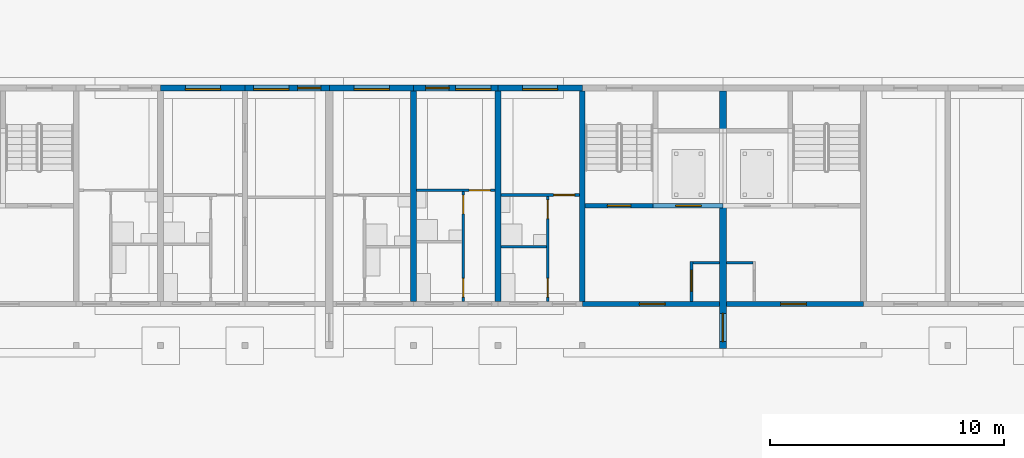
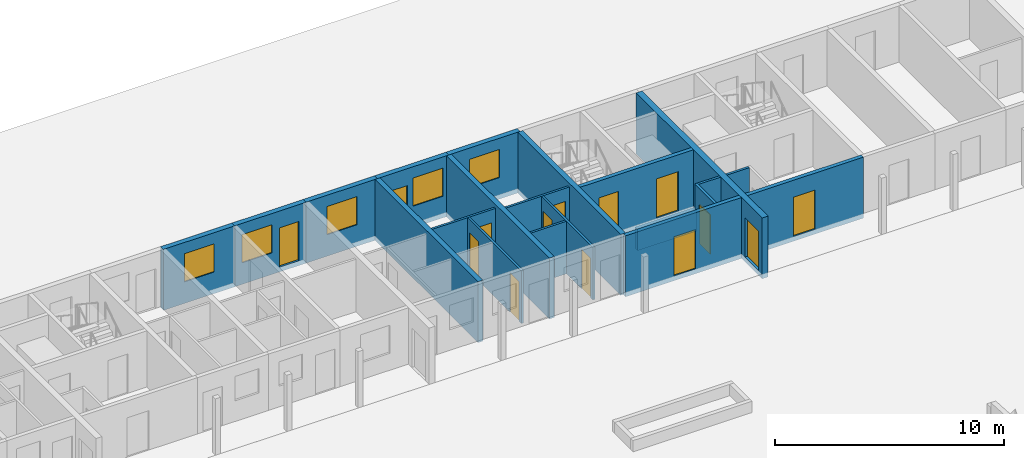
# One storey, part 69 of 112: 21 walls, 14 doors, 5 windows, 19 openings.
"""IFC4 building model written with IfcOpenShell, lengths in metres."""

from ifc_helpers import new_model, si_unit, direction, frame, frame_2d, origin, place, context, subcontext, project, spatial, rectangle, extrude, material, layer, layer_set, type_object, element, fill, save


model = new_model("IFC4")

# Units and contexts
model_context = context("Model", 3, precision=1e-05, world=origin(), true_north=direction((0.0, 1.0)))
body_context = subcontext(model_context, "Body", "Model", "MODEL_VIEW")
ifc_project = project(units=[si_unit("LENGTHUNIT", "METRE"), si_unit("AREAUNIT", "SQUARE_METRE"), si_unit("VOLUMEUNIT", "CUBIC_METRE"), si_unit("PLANEANGLEUNIT", "RADIAN"), si_unit("MASSUNIT", "GRAM", prefix="KILO")], contexts=[model_context])

# Site, building, storey
site_placement = place(None, origin())
site = spatial("IfcSite", under=ifc_project, at=site_placement, CompositionType="ELEMENT")
building_placement = place(site_placement, origin())
building = spatial("IfcBuilding", under=site, at=building_placement, Name="Ridgestep Commons", CompositionType="ELEMENT")
storey_placement = place(building_placement, origin())
storey = spatial("IfcBuildingStorey", under=building, at=storey_placement, Name="L00", CompositionType="ELEMENT", Elevation=0.0)

# Wall
ifc_material_1 = material(Name="Concrete C30/37", Category="concrete")
ifc_layer_1 = layer(ifc_material_1, 0.25)
ifc_layer_set_1 = layer_set([ifc_layer_1], Name="Core cross wall 250")
wall_type_1 = type_object("IfcWallType", Name="Core cross wall 250", PredefinedType="SHEAR", material=ifc_layer_set_1)
wall_1_placement = place(storey_placement, frame((224.800048828125, 68.0, -0.25), z_axis=(0.0, 0.0, 1.0), x_axis=(0.0, 1.0, 0.0)))
element("IfcWall", 1, at=wall_1_placement, inside=storey, type_object=wall_type_1, Name="Cross wall C-00-2248", PredefinedType="SHEAR", context=body_context, shape_type="SweptSolid", body=[
    extrude(rectangle(XDim=9.0, YDim=0.25, at=frame_2d((4.5, 0.0))), origin(), (0.0, 0.0, 1.0), 3.25),
])

# Wall, opening, door
ifc_material_2 = material(Name="Concrete C30/37", Category="concrete")
ifc_layer_2 = layer(ifc_material_2, 0.199951171875)
ifc_layer_set_2 = layer_set([ifc_layer_2], Name="Core south wall 200")
wall_type_2 = type_object("IfcWallType", Name="Core south wall 200", PredefinedType="SHEAR", material=ifc_layer_set_2)
wall_2_placement = place(storey_placement, frame((224.800048828125, 67.89990234375, -0.25), z_axis=(0.0, 0.0, 1.0), x_axis=(1.0, 0.0, 0.0)))
wall_2 = element("IfcWall", 2, at=wall_2_placement, inside=storey, type_object=wall_type_2, Name="Core south wall C5C L00", PredefinedType="SHEAR", context=body_context, shape_type="SweptSolid", body=[
    extrude(rectangle(XDim=5.849853515625, YDim=0.199951171875, at=frame_2d((2.9248046875, 0.0))), origin(), (0.0, 0.0, 1.0), 3.25),
])
opening_1_placement = place(wall_2_placement, frame((2.4375, 0.0, 0.25)))
opening_1 = element("IfcOpeningElement", 3, at=opening_1_placement, cuts=wall_2, Name="Opening C5C/00/1", PredefinedType="OPENING", context=body_context, shape_type="SweptSolid", body=[
    extrude(rectangle(XDim=1.10009765625, YDim=2.10009765625, at=frame_2d((0.550048828125, 1.050048828125))), frame((0.0, 0.10986328125, 0.0), z_axis=(0.0, -1.0, 0.0), x_axis=(1.0, 0.0, 0.0)), (0.0, 0.0, 1.0), 0.219970703125),
])
ifc_material_3 = material(Name="Steel fire door", Category="steel")
door_type_1 = type_object("IfcDoorType", Name="Lobby door 1100 x 2100 FD60", OperationType="NOTDEFINED", PredefinedType="DOOR", material=ifc_material_3)
door_1_placement = place(opening_1_placement, origin())
door_1 = element("IfcDoor", 4, at=door_1_placement, inside=storey, type_object=door_type_1, Name="Lobby door C5C/00/1", OperationType="SINGLE_SWING_LEFT", OverallHeight=2.10009765625, OverallWidth=1.10009765625, PredefinedType="DOOR", context=body_context, shape_type="SweptSolid", body=[
    extrude(rectangle(XDim=1.10009765625, YDim=2.10009765625, at=frame_2d((0.550048828125, 1.050048828125))), frame((0.0, 0.02490234375, 0.0), z_axis=(0.0, -1.0, 0.0), x_axis=(1.0, 0.0, 0.0)), (0.0, 0.0, 1.0), 0.050048828125),
])
fill(opening_1, door_1)

wall_3_placement = place(storey_placement, frame((230.949951171875, 67.89990234375, -0.25), z_axis=(0.0, 0.0, 1.0), x_axis=(1.0, 0.0, 0.0)))
wall_3 = element("IfcWall", 5, at=wall_3_placement, inside=storey, type_object=wall_type_2, Name="Core south wall C6C L00", PredefinedType="SHEAR", context=body_context, shape_type="SweptSolid", body=[
    extrude(rectangle(XDim=5.85009765625, YDim=0.199951171875, at=frame_2d((2.925048828125, 0.0))), origin(), (0.0, 0.0, 1.0), 3.25),
])
opening_2_placement = place(wall_3_placement, frame((2.3125, 0.0, 0.25)))
opening_2 = element("IfcOpeningElement", 6, at=opening_2_placement, cuts=wall_3, Name="Opening C6C/00/1", PredefinedType="OPENING", context=body_context, shape_type="SweptSolid", body=[
    extrude(rectangle(XDim=1.10009765625, YDim=2.10009765625, at=frame_2d((0.550048828125, 1.050048828125))), frame((0.0, 0.10986328125, 0.0), z_axis=(0.0, -1.0, 0.0), x_axis=(1.0, 0.0, 0.0)), (0.0, 0.0, 1.0), 0.219970703125),
])
door_2_placement = place(opening_2_placement, origin())
door_2 = element("IfcDoor", 7, at=door_2_placement, inside=storey, type_object=door_type_1, Name="Lobby door C6C/00/1", OperationType="SINGLE_SWING_LEFT", OverallHeight=2.10009765625, OverallWidth=1.10009765625, PredefinedType="DOOR", context=body_context, shape_type="SweptSolid", body=[
    extrude(rectangle(XDim=1.10009765625, YDim=2.10009765625, at=frame_2d((0.550048828125, 1.050048828125))), frame((0.0, 0.02490234375, 0.0), z_axis=(0.0, -1.0, 0.0), x_axis=(1.0, 0.0, 0.0)), (0.0, 0.0, 1.0), 0.050048828125),
])
fill(opening_2, door_2)

ifc_material_4 = material(Name="Concrete C30/37", Category="concrete")
ifc_layer_3 = layer(ifc_material_4, 0.1201171875)
ifc_layer_set_3 = layer_set([ifc_layer_3], Name="Core wall 120")
wall_type_3 = type_object("IfcWallType", Name="Core wall 120", PredefinedType="SHEAR", material=ifc_layer_set_3)
wall_4_placement = place(storey_placement, frame((229.4599609375, 68.0, -0.25), z_axis=(0.0, 0.0, 1.0), x_axis=(0.0, 1.0, 0.0)))
wall_4 = element("IfcWall", 8, at=wall_4_placement, inside=storey, type_object=wall_type_3, Name="Core riser w wall C5C L00", PredefinedType="SHEAR", context=body_context, shape_type="SweptSolid", body=[
    extrude(rectangle(XDim=1.719970703125, YDim=0.1201171875, at=frame_2d((0.85986328125, 0.0))), origin(), (0.0, 0.0, 1.0), 3.25),
])
opening_3_placement = place(wall_4_placement, frame((0.449951171875, 0.0, 0.25)))
opening_3 = element("IfcOpeningElement", 9, at=opening_3_placement, cuts=wall_4, Name="Opening C5C/00/4", PredefinedType="OPENING", context=body_context, shape_type="SweptSolid", body=[
    extrude(rectangle(XDim=0.89990234375, YDim=2.10009765625, at=frame_2d((0.449951171875, 1.050048828125))), frame((0.0, 0.070068359375, 0.0), z_axis=(0.0, -1.0, 0.0), x_axis=(1.0, 0.0, 0.0)), (0.0, 0.0, 1.0), 0.14013671875),
])
ifc_material_5 = material(Name="Steel fire door", Category="steel")
door_type_2 = type_object("IfcDoorType", Name="Riser door 900 x 2100 FD60", OperationType="NOTDEFINED", PredefinedType="DOOR", material=ifc_material_5)
door_3_placement = place(opening_3_placement, origin())
door_3 = element("IfcDoor", 10, at=door_3_placement, inside=storey, type_object=door_type_2, Name="Riser door C5C/00/4", OperationType="SINGLE_SWING_LEFT", OverallHeight=2.10009765625, OverallWidth=0.89990234375, PredefinedType="DOOR", context=body_context, shape_type="SweptSolid", body=[
    extrude(rectangle(XDim=0.89990234375, YDim=2.10009765625, at=frame_2d((0.449951171875, 1.050048828125))), frame((0.0, 0.02490234375, 0.0), z_axis=(0.0, -1.0, 0.0), x_axis=(1.0, 0.0, 0.0)), (0.0, 0.0, 1.0), 0.050048828125),
])
fill(opening_3, door_3)

# Walls
wall_5_placement = place(storey_placement, frame((229.52001953125, 69.659912109375, -0.25), z_axis=(0.0, 0.0, 1.0), x_axis=(1.0, 0.0, 0.0)))
element("IfcWall", 11, at=wall_5_placement, inside=storey, type_object=wall_type_3, Name="Core riser n wall C5C L00", PredefinedType="SHEAR", context=body_context, shape_type="SweptSolid", body=[
    extrude(rectangle(XDim=1.1298828125, YDim=0.1201171875, at=frame_2d((0.56494140625, 0.0))), origin(), (0.0, 0.0, 1.0), 3.25),
])
wall_6_placement = place(storey_placement, frame((230.949951171875, 69.659912109375, -0.25), z_axis=(0.0, 0.0, 1.0), x_axis=(1.0, 0.0, 0.0)))
element("IfcWall", 12, at=wall_6_placement, inside=storey, type_object=wall_type_3, Name="Core riser n wall C6C L00", PredefinedType="SHEAR", context=body_context, shape_type="SweptSolid", body=[
    extrude(rectangle(XDim=1.130126953125, YDim=0.1201171875, at=frame_2d((0.56494140625, 0.0))), origin(), (0.0, 0.0, 1.0), 3.25),
])

# Wall, openings, doors
ifc_material_6 = material(Name="Concrete C30/37", Category="concrete")
ifc_layer_4 = layer(ifc_material_6, 0.199951171875)
ifc_layer_set_4 = layer_set([ifc_layer_4], Name="Core wall 200")
wall_type_4 = type_object("IfcWallType", Name="Core wall 200", PredefinedType="SHEAR", material=ifc_layer_set_4)
wall_7_placement = place(storey_placement, frame((224.925048828125, 72.10009765625, -0.25), z_axis=(0.0, 0.0, 1.0), x_axis=(1.0, 0.0, 0.0)))
wall_7 = element("IfcWall", 13, at=wall_7_placement, inside=storey, type_object=wall_type_4, Name="Core lobby wall C5C L00", PredefinedType="SHEAR", context=body_context, shape_type="SweptSolid", body=[
    extrude(rectangle(XDim=5.724853515625, YDim=0.199951171875, at=frame_2d((2.8623046875, 0.0))), origin(), (0.0, 0.0, 1.0), 3.25),
])
opening_4_placement = place(wall_7_placement, frame((0.949951171875, 0.0, 0.25)))
opening_4 = element("IfcOpeningElement", 14, at=opening_4_placement, cuts=wall_7, Name="Opening C5C/00/2", PredefinedType="OPENING", context=body_context, shape_type="SweptSolid", body=[
    extrude(rectangle(XDim=1.0, YDim=2.10009765625, at=frame_2d((0.5, 1.050048828125))), frame((0.0, 0.10986328125, 0.0), z_axis=(0.0, -1.0, 0.0), x_axis=(1.0, 0.0, 0.0)), (0.0, 0.0, 1.0), 0.219970703125),
])
opening_5_placement = place(wall_7_placement, frame((3.862548828125, 0.0, 0.25)))
opening_5 = element("IfcOpeningElement", 15, at=opening_5_placement, cuts=wall_7, Name="Opening C5C/00/3", PredefinedType="OPENING", context=body_context, shape_type="SweptSolid", body=[
    extrude(rectangle(XDim=1.10009765625, YDim=2.10009765625, at=frame_2d((0.550048828125, 1.050048828125))), frame((0.0, 0.10986328125, 0.0), z_axis=(0.0, -1.0, 0.0), x_axis=(1.0, 0.0, 0.0)), (0.0, 0.0, 1.0), 0.219970703125),
])
ifc_material_7 = material(Name="Stainless steel", Category="steel")
door_type_3 = type_object("IfcDoorType", Name="Lift landing door 1100 x 2100 FD60", OperationType="DOUBLE_DOOR_SLIDING", PredefinedType="DOOR", material=ifc_material_7)
door_4_placement = place(opening_5_placement, origin())
door_4 = element("IfcDoor", 16, at=door_4_placement, inside=storey, type_object=door_type_3, Name="Landing door LD C5C L00", OperationType="DOUBLE_DOOR_SLIDING", OverallHeight=2.10009765625, OverallWidth=1.10009765625, PredefinedType="DOOR", context=body_context, shape_type="SweptSolid", body=[
    extrude(rectangle(XDim=1.10009765625, YDim=2.10009765625, at=frame_2d((0.550048828125, 1.050048828125))), frame((0.0, 0.02490234375, 0.0), z_axis=(0.0, -1.0, 0.0), x_axis=(1.0, 0.0, 0.0)), (0.0, 0.0, 1.0), 0.050048828125),
])
fill(opening_5, door_4)
ifc_material_8 = material(Name="Steel fire door", Category="steel")
door_type_4 = type_object("IfcDoorType", Name="Stair door 1000 x 2100 FD60", OperationType="NOTDEFINED", PredefinedType="DOOR", material=ifc_material_8)
door_5_placement = place(opening_4_placement, origin())
door_5 = element("IfcDoor", 17, at=door_5_placement, inside=storey, type_object=door_type_4, Name="Stair door C5C/00/2", OperationType="SINGLE_SWING_RIGHT", OverallHeight=2.10009765625, OverallWidth=1.0, PredefinedType="DOOR", context=body_context, shape_type="SweptSolid", body=[
    extrude(rectangle(XDim=1.0, YDim=2.10009765625, at=frame_2d((0.5, 1.050048828125))), frame((0.0, 0.02490234375, 0.0), z_axis=(0.0, -1.0, 0.0), x_axis=(1.0, 0.0, 0.0)), (0.0, 0.0, 1.0), 0.050048828125),
])
fill(opening_4, door_5)

# Walls
wall_8_placement = place(storey_placement, frame((227.824951171875, 72.10009765625, -1.39990234375), z_axis=(0.0, 0.0, 1.0), x_axis=(1.0, 0.0, 0.0)))
element("IfcWall", 18, at=wall_8_placement, inside=storey, type_object=wall_type_4, Name="Lift pit wall C5C", PredefinedType="SHEAR", context=body_context, shape_type="SweptSolid", body=[
    extrude(rectangle(XDim=2.97509765625, YDim=0.199951171875, at=frame_2d((1.487548828125, 0.0))), origin(), (0.0, 0.0, 1.0), 1.14990234375),
])
ifc_material_9 = material(Name="Precast concrete C40/50", Category="concrete")
ifc_layer_5 = layer(ifc_material_9, 0.25)
ifc_layer_set_5 = layer_set([ifc_layer_5], Name="Cross wall 250")
wall_type_5 = type_object("IfcWallType", Name="Cross wall 250", PredefinedType="SHEAR", material=ifc_layer_set_5)
for number, where, z_axis, x_axis, name in (
    (19, (217.60009765625, 68.0, -0.25), (0.0, 0.0, 1.0), (0.0, 1.0, 0.0), "Cross wall C-00-2176"),
    (20, (221.199951171875, 68.0, -0.25), (0.0, 0.0, 1.0), (0.0, 1.0, 0.0), "Cross wall C-00-2212"),
):
    element("IfcWall", number, at=place(storey_placement, frame(where, z_axis=z_axis, x_axis=x_axis)), inside=storey, type_object=wall_type_5, Name=name, PredefinedType="SHEAR", context=body_context, shape_type="SweptSolid", body=[
        extrude(rectangle(XDim=9.0, YDim=0.25, at=frame_2d((4.5, 0.0))), origin(), (0.0, 0.0, 1.0), 3.25),
    ])

# Wall, opening, door
ifc_material_10 = material(Name="Precast concrete C40/50", Category="concrete")
ifc_layer_6 = layer(ifc_material_10, 0.300048828125)
ifc_layer_set_6 = layer_set([ifc_layer_6], Name="Division wall 300")
wall_type_6 = type_object("IfcWallType", Name="Division wall 300", PredefinedType="SHEAR", material=ifc_layer_set_6)
wall_9_placement = place(storey_placement, frame((230.800048828125, 66.0, -0.25), z_axis=(0.0, 0.0, 1.0), x_axis=(0.0, 1.0, 0.0)))
wall_9 = element("IfcWall", 21, at=wall_9_placement, inside=storey, type_object=wall_type_6, Name="Cross wall C-00-2308", PredefinedType="SHEAR", context=body_context, shape_type="SweptSolid", body=[
    extrude(rectangle(XDim=11.0, YDim=0.300048828125, at=frame_2d((5.5, 0.0))), origin(), (0.0, 0.0, 1.0), 3.25),
])
opening_6_placement = place(wall_9_placement, frame((0.300048828125, 0.0, 0.25)))
opening_6 = element("IfcOpeningElement", 22, at=opening_6_placement, cuts=wall_9, Name="Opening C/00/G2308", PredefinedType="OPENING", context=body_context, shape_type="SweptSolid", body=[
    extrude(rectangle(XDim=1.199951171875, YDim=2.10009765625, at=frame_2d((0.60009765625, 1.050048828125))), frame((0.0, 0.159912109375, 0.0), z_axis=(0.0, -1.0, 0.0), x_axis=(1.0, 0.0, 0.0)), (0.0, 0.0, 1.0), 0.320068359375),
])
ifc_material_11 = material(Name="Steel fire door", Category="steel")
door_type_5 = type_object("IfcDoorType", Name="Division fire door 1200 x 2100 EI 240", OperationType="DOUBLE_DOOR_SINGLE_SWING", PredefinedType="DOOR", material=ifc_material_11)
door_6_placement = place(opening_6_placement, origin())
door_6 = element("IfcDoor", 23, at=door_6_placement, inside=storey, type_object=door_type_5, Name="Division fire door C/00/G2308", OperationType="DOUBLE_DOOR_SINGLE_SWING", OverallHeight=2.10009765625, OverallWidth=1.199951171875, PredefinedType="DOOR", context=body_context, shape_type="SweptSolid", body=[
    extrude(rectangle(XDim=1.199951171875, YDim=2.10009765625, at=frame_2d((0.60009765625, 1.050048828125))), frame((0.0, 0.02490234375, 0.0), z_axis=(0.0, -1.0, 0.0), x_axis=(1.0, 0.0, 0.0)), (0.0, 0.0, 1.0), 0.050048828125),
])
fill(opening_6, door_6)

# Wall, opening, window
ifc_material_12 = material(Name="Precast concrete C40/50", Category="concrete")
ifc_layer_7 = layer(ifc_material_12, 0.25)
ifc_layer_set_7 = layer_set([ifc_layer_7], Name="North facade panel 250")
wall_type_7 = type_object("IfcWallType", Name="North facade panel 250", PredefinedType="SOLIDWALL", material=ifc_layer_set_7)
wall_10_placement = place(storey_placement, frame((206.800048828125, 77.125, -0.25), z_axis=(0.0, 0.0, 1.0), x_axis=(1.0, 0.0, 0.0)))
wall_10 = element("IfcWall", 24, at=wall_10_placement, inside=storey, type_object=wall_type_7, Name="North panel C4T2 L00", PredefinedType="SOLIDWALL", context=body_context, shape_type="SweptSolid", body=[
    extrude(rectangle(XDim=3.599853515625, YDim=0.25, at=frame_2d((1.7998046875, 0.0))), origin(), (0.0, 0.0, 1.0), 3.25),
])
opening_7_placement = place(wall_10_placement, frame((1.0625, 0.0, 1.14990234375)))
opening_7 = element("IfcOpeningElement", 25, at=opening_7_placement, cuts=wall_10, Name="Opening W16", PredefinedType="OPENING", context=body_context, shape_type="SweptSolid", body=[
    extrude(rectangle(XDim=1.5, YDim=1.5, at=frame_2d((0.75, 0.75))), frame((0.0, 0.135009765625, 0.0), z_axis=(0.0, -1.0, 0.0), x_axis=(1.0, 0.0, 0.0)), (0.0, 0.0, 1.0), 0.27001953125),
])
ifc_material_13 = material(Name="Aluminium 6063-T6 and glass", Category="aluminium")
window_type = type_object("IfcWindowType", Name="Flat window 1500 x 1500", PartitioningType="DOUBLE_PANEL_VERTICAL", PredefinedType="WINDOW", material=ifc_material_13)
window_1_placement = place(opening_7_placement, origin())
window_1 = element("IfcWindow", 26, at=window_1_placement, inside=storey, type_object=window_type, Name="Window C4-00a 4", OverallHeight=1.5, OverallWidth=1.5, PartitioningType="SINGLE_PANEL", PredefinedType="WINDOW", context=body_context, shape_type="SweptSolid", body=[
    extrude(rectangle(XDim=1.5, YDim=1.5, at=frame_2d((0.75, 0.75))), frame((0.0, -0.02490234375, 0.0), z_axis=(0.0, -1.0, 0.0), x_axis=(1.0, 0.0, 0.0)), (0.0, 0.0, 1.0), 0.06005859375),
])
fill(opening_7, window_1)

# Wall, openings, door, window
wall_11_placement = place(storey_placement, frame((210.39990234375, 77.125, -0.25), z_axis=(0.0, 0.0, 1.0), x_axis=(1.0, 0.0, 0.0)))
wall_11 = element("IfcWall", 27, at=wall_11_placement, inside=storey, type_object=wall_type_7, Name="North panel C4T1 L00", PredefinedType="SOLIDWALL", context=body_context, shape_type="SweptSolid", body=[
    extrude(rectangle(XDim=3.60009765625, YDim=0.25, at=frame_2d((1.800048828125, 0.0))), origin(), (0.0, 0.0, 1.0), 3.25),
])
opening_8_placement = place(wall_11_placement, frame((0.373046875, 0.0, 1.14990234375)))
opening_8 = element("IfcOpeningElement", 28, at=opening_8_placement, cuts=wall_11, Name="Opening W16", PredefinedType="OPENING", context=body_context, shape_type="SweptSolid", body=[
    extrude(rectangle(XDim=1.5, YDim=1.5, at=frame_2d((0.75, 0.75))), frame((0.0, 0.135009765625, 0.0), z_axis=(0.0, -1.0, 0.0), x_axis=(1.0, 0.0, 0.0)), (0.0, 0.0, 1.0), 0.27001953125),
])
opening_9_placement = place(wall_11_placement, frame((2.24609375, 0.0, 0.25)))
opening_9 = element("IfcOpeningElement", 29, at=opening_9_placement, cuts=wall_11, Name="Opening C4-00a/7", PredefinedType="OPENING", context=body_context, shape_type="SweptSolid", body=[
    extrude(rectangle(XDim=1.0, YDim=2.10009765625, at=frame_2d((0.5, 1.050048828125))), frame((0.0, 0.135009765625, 0.0), z_axis=(0.0, -1.0, 0.0), x_axis=(1.0, 0.0, 0.0)), (0.0, 0.0, 1.0), 0.27001953125),
])
ifc_material_14 = material(Name="Aluminium and glass", Category="aluminium")
door_type_6 = type_object("IfcDoorType", Name="Balcony door 1000 x 2100", OperationType="NOTDEFINED", PredefinedType="DOOR", material=ifc_material_14)
door_7_placement = place(opening_9_placement, origin())
door_7 = element("IfcDoor", 30, at=door_7_placement, inside=storey, type_object=door_type_6, Name="Balcony door C4-00a/7", OperationType="SINGLE_SWING_LEFT", OverallHeight=2.10009765625, OverallWidth=1.0, PredefinedType="DOOR", context=body_context, shape_type="SweptSolid", body=[
    extrude(rectangle(XDim=1.0, YDim=2.10009765625, at=frame_2d((0.5, 1.050048828125))), frame((0.0, 0.02490234375, 0.0), z_axis=(0.0, -1.0, 0.0), x_axis=(1.0, 0.0, 0.0)), (0.0, 0.0, 1.0), 0.050048828125),
])
fill(opening_9, door_7)
window_2_placement = place(opening_8_placement, origin())
window_2 = element("IfcWindow", 31, at=window_2_placement, inside=storey, type_object=window_type, Name="Window C4-00a 2", OverallHeight=1.5, OverallWidth=1.5, PartitioningType="SINGLE_PANEL", PredefinedType="WINDOW", context=body_context, shape_type="SweptSolid", body=[
    extrude(rectangle(XDim=1.5, YDim=1.5, at=frame_2d((0.75, 0.75))), frame((0.0, -0.02490234375, 0.0), z_axis=(0.0, -1.0, 0.0), x_axis=(1.0, 0.0, 0.0)), (0.0, 0.0, 1.0), 0.06005859375),
])
fill(opening_8, window_2)

# Wall, opening, window
wall_12_placement = place(storey_placement, frame((214.0, 77.125, -0.25), z_axis=(0.0, 0.0, 1.0), x_axis=(1.0, 0.0, 0.0)))
wall_12 = element("IfcWall", 32, at=wall_12_placement, inside=storey, type_object=wall_type_7, Name="North panel C5T1 L00", PredefinedType="SOLIDWALL", context=body_context, shape_type="SweptSolid", body=[
    extrude(rectangle(XDim=3.60009765625, YDim=0.25, at=frame_2d((1.800048828125, 0.0))), origin(), (0.0, 0.0, 1.0), 3.25),
])
opening_10_placement = place(wall_12_placement, frame((1.0625, 0.0, 1.14990234375)))
opening_10 = element("IfcOpeningElement", 33, at=opening_10_placement, cuts=wall_12, Name="Opening W16", PredefinedType="OPENING", context=body_context, shape_type="SweptSolid", body=[
    extrude(rectangle(XDim=1.5, YDim=1.5, at=frame_2d((0.75, 0.75))), frame((0.0, 0.135009765625, 0.0), z_axis=(0.0, -1.0, 0.0), x_axis=(1.0, 0.0, 0.0)), (0.0, 0.0, 1.0), 0.27001953125),
])
window_3_placement = place(opening_10_placement, origin())
window_3 = element("IfcWindow", 34, at=window_3_placement, inside=storey, type_object=window_type, Name="Window C5-00a 2", OverallHeight=1.5, OverallWidth=1.5, PartitioningType="SINGLE_PANEL", PredefinedType="WINDOW", context=body_context, shape_type="SweptSolid", body=[
    extrude(rectangle(XDim=1.5, YDim=1.5, at=frame_2d((0.75, 0.75))), frame((0.0, -0.02490234375, 0.0), z_axis=(0.0, -1.0, 0.0), x_axis=(1.0, 0.0, 0.0)), (0.0, 0.0, 1.0), 0.06005859375),
])
fill(opening_10, window_3)

# Wall, openings, door, window
wall_13_placement = place(storey_placement, frame((217.60009765625, 77.125, -0.25), z_axis=(0.0, 0.0, 1.0), x_axis=(1.0, 0.0, 0.0)))
wall_13 = element("IfcWall", 35, at=wall_13_placement, inside=storey, type_object=wall_type_7, Name="North panel C5T2 L00", PredefinedType="SOLIDWALL", context=body_context, shape_type="SweptSolid", body=[
    extrude(rectangle(XDim=3.599853515625, YDim=0.25, at=frame_2d((1.7998046875, 0.0))), origin(), (0.0, 0.0, 1.0), 3.25),
])
opening_11_placement = place(wall_13_placement, frame((1.7958984375, 0.0, 1.14990234375)))
opening_11 = element("IfcOpeningElement", 36, at=opening_11_placement, cuts=wall_13, Name="Opening W16", PredefinedType="OPENING", context=body_context, shape_type="SweptSolid", body=[
    extrude(rectangle(XDim=1.5, YDim=1.5, at=frame_2d((0.75, 0.75))), frame((0.0, 0.135009765625, 0.0), z_axis=(0.0, -1.0, 0.0), x_axis=(1.0, 0.0, 0.0)), (0.0, 0.0, 1.0), 0.27001953125),
])
opening_12_placement = place(wall_13_placement, frame((0.51708984375, 0.0, 0.25)))
opening_12 = element("IfcOpeningElement", 37, at=opening_12_placement, cuts=wall_13, Name="Opening C5-00b/5", PredefinedType="OPENING", context=body_context, shape_type="SweptSolid", body=[
    extrude(rectangle(XDim=1.0, YDim=2.10009765625, at=frame_2d((0.5, 1.050048828125))), frame((0.0, 0.135009765625, 0.0), z_axis=(0.0, -1.0, 0.0), x_axis=(1.0, 0.0, 0.0)), (0.0, 0.0, 1.0), 0.27001953125),
])
door_8_placement = place(opening_12_placement, origin())
door_8 = element("IfcDoor", 38, at=door_8_placement, inside=storey, type_object=door_type_6, Name="Balcony door C5-00b/5", OperationType="SINGLE_SWING_RIGHT", OverallHeight=2.10009765625, OverallWidth=1.0, PredefinedType="DOOR", context=body_context, shape_type="SweptSolid", body=[
    extrude(rectangle(XDim=1.0, YDim=2.10009765625, at=frame_2d((0.5, 1.050048828125))), frame((0.0, 0.02490234375, 0.0), z_axis=(0.0, -1.0, 0.0), x_axis=(1.0, 0.0, 0.0)), (0.0, 0.0, 1.0), 0.050048828125),
])
fill(opening_12, door_8)
window_4_placement = place(opening_11_placement, origin())
window_4 = element("IfcWindow", 39, at=window_4_placement, inside=storey, type_object=window_type, Name="Window C5-00b 2", OverallHeight=1.5, OverallWidth=1.5, PartitioningType="SINGLE_PANEL", PredefinedType="WINDOW", context=body_context, shape_type="SweptSolid", body=[
    extrude(rectangle(XDim=1.5, YDim=1.5, at=frame_2d((0.75, 0.75))), frame((0.0, -0.02490234375, 0.0), z_axis=(0.0, -1.0, 0.0), x_axis=(1.0, 0.0, 0.0)), (0.0, 0.0, 1.0), 0.06005859375),
])
fill(opening_11, window_4)

# Wall, opening, window
wall_14_placement = place(storey_placement, frame((221.199951171875, 77.125, -0.25), z_axis=(0.0, 0.0, 1.0), x_axis=(1.0, 0.0, 0.0)))
wall_14 = element("IfcWall", 40, at=wall_14_placement, inside=storey, type_object=wall_type_7, Name="North panel C5T3 L00", PredefinedType="SOLIDWALL", context=body_context, shape_type="SweptSolid", body=[
    extrude(rectangle(XDim=3.60009765625, YDim=0.25, at=frame_2d((1.800048828125, 0.0))), origin(), (0.0, 0.0, 1.0), 3.25),
])
opening_13_placement = place(wall_14_placement, frame((1.050048828125, 0.0, 1.14990234375)))
opening_13 = element("IfcOpeningElement", 41, at=opening_13_placement, cuts=wall_14, Name="Opening W16", PredefinedType="OPENING", context=body_context, shape_type="SweptSolid", body=[
    extrude(rectangle(XDim=1.5, YDim=1.5, at=frame_2d((0.75, 0.75))), frame((0.0, 0.135009765625, 0.0), z_axis=(0.0, -1.0, 0.0), x_axis=(1.0, 0.0, 0.0)), (0.0, 0.0, 1.0), 0.27001953125),
])
window_5_placement = place(opening_13_placement, origin())
window_5 = element("IfcWindow", 42, at=window_5_placement, inside=storey, type_object=window_type, Name="Window C5-00c 2", OverallHeight=1.5, OverallWidth=1.5, PartitioningType="SINGLE_PANEL", PredefinedType="WINDOW", context=body_context, shape_type="SweptSolid", body=[
    extrude(rectangle(XDim=1.5, YDim=1.5, at=frame_2d((0.75, 0.75))), frame((0.0, -0.02490234375, 0.0), z_axis=(0.0, -1.0, 0.0), x_axis=(1.0, 0.0, 0.0)), (0.0, 0.0, 1.0), 0.06005859375),
])
fill(opening_13, window_5)

# Wall, openings, doors
ifc_material_15 = material(Name="Common brick 110 mm", Category="masonry")
ifc_layer_8 = layer(ifc_material_15, 0.110107421875)
ifc_layer_set_8 = layer_set([ifc_layer_8], Name="Partition 110")
wall_type_8 = type_object("IfcWallType", Name="Partition 110", PredefinedType="PARTITIONING", material=ifc_layer_set_8)
wall_15_placement = place(storey_placement, frame((219.719970703125, 68.0, 0.0), z_axis=(0.0, 0.0, 1.0), x_axis=(0.0, 1.0, 0.0)))
wall_15 = element("IfcWall", 43, at=wall_15_placement, inside=storey, type_object=wall_type_8, Name="Partition C5-00b", PredefinedType="PARTITIONING", context=body_context, shape_type="SweptSolid", body=[
    extrude(rectangle(XDim=4.699951171875, YDim=0.110107421875, at=frame_2d((2.35009765625, 0.0))), origin(), (0.0, 0.0, 1.0), 2.800048828125),
])
opening_14_placement = place(wall_15_placement, frame((0.199951171875, 0.0, 0.0)))
opening_14 = element("IfcOpeningElement", 44, at=opening_14_placement, cuts=wall_15, Name="Opening C5-00b/2", PredefinedType="OPENING", context=body_context, shape_type="SweptSolid", body=[
    extrude(rectangle(XDim=0.800048828125, YDim=2.10009765625, at=frame_2d((0.39990234375, 1.050048828125))), frame((0.0, 0.06494140625, 0.0), z_axis=(0.0, -1.0, 0.0), x_axis=(1.0, 0.0, 0.0)), (0.0, 0.0, 1.0), 0.130126953125),
])
opening_15_placement = place(wall_15_placement, frame((3.75, 0.0, 0.0)))
opening_15 = element("IfcOpeningElement", 45, at=opening_15_placement, cuts=wall_15, Name="Opening C5-00b/3", PredefinedType="OPENING", context=body_context, shape_type="SweptSolid", body=[
    extrude(rectangle(XDim=0.800048828125, YDim=2.10009765625, at=frame_2d((0.39990234375, 1.050048828125))), frame((0.0, 0.06494140625, 0.0), z_axis=(0.0, -1.0, 0.0), x_axis=(1.0, 0.0, 0.0)), (0.0, 0.0, 1.0), 0.130126953125),
])
ifc_material_16 = material(Name="Timber door leaf", Category="wood")
door_type_7 = type_object("IfcDoorType", Name="Internal door 800 x 2100", OperationType="NOTDEFINED", PredefinedType="DOOR", material=ifc_material_16)
door_9_placement = place(opening_14_placement, origin())
door_9 = element("IfcDoor", 46, at=door_9_placement, inside=storey, type_object=door_type_7, Name="Internal door C5-00b/2", OperationType="SINGLE_SWING_LEFT", OverallHeight=2.10009765625, OverallWidth=0.800048828125, PredefinedType="DOOR", context=body_context, shape_type="SweptSolid", body=[
    extrude(rectangle(XDim=0.800048828125, YDim=2.10009765625, at=frame_2d((0.39990234375, 1.050048828125))), frame((0.0, 0.02490234375, 0.0), z_axis=(0.0, -1.0, 0.0), x_axis=(1.0, 0.0, 0.0)), (0.0, 0.0, 1.0), 0.050048828125),
])
fill(opening_14, door_9)
door_10_placement = place(opening_15_placement, origin())
door_10 = element("IfcDoor", 47, at=door_10_placement, inside=storey, type_object=door_type_7, Name="Internal door C5-00b/3", OperationType="SINGLE_SWING_RIGHT", OverallHeight=2.10009765625, OverallWidth=0.800048828125, PredefinedType="DOOR", context=body_context, shape_type="SweptSolid", body=[
    extrude(rectangle(XDim=0.800048828125, YDim=2.10009765625, at=frame_2d((0.39990234375, 1.050048828125))), frame((0.0, 0.02490234375, 0.0), z_axis=(0.0, -1.0, 0.0), x_axis=(1.0, 0.0, 0.0)), (0.0, 0.0, 1.0), 0.050048828125),
])
fill(opening_15, door_10)

# Wall, opening, door
wall_16_placement = place(storey_placement, frame((217.72509765625, 72.7548828125, 0.0), z_axis=(0.0, 0.0, 1.0), x_axis=(1.0, 0.0, 0.0)))
wall_16 = element("IfcWall", 48, at=wall_16_placement, inside=storey, type_object=wall_type_8, Name="Partition C5-00b", PredefinedType="PARTITIONING", context=body_context, shape_type="SweptSolid", body=[
    extrude(rectangle(XDim=3.349853515625, YDim=0.110107421875, at=frame_2d((1.6748046875, 0.0))), origin(), (0.0, 0.0, 1.0), 2.800048828125),
])
opening_16_placement = place(wall_16_placement, frame((2.25, 0.0, 0.0)))
opening_16 = element("IfcOpeningElement", 49, at=opening_16_placement, cuts=wall_16, Name="Opening C5-00b/4", PredefinedType="OPENING", context=body_context, shape_type="SweptSolid", body=[
    extrude(rectangle(XDim=0.89990234375, YDim=2.10009765625, at=frame_2d((0.449951171875, 1.050048828125))), frame((0.0, 0.06494140625, 0.0), z_axis=(0.0, -1.0, 0.0), x_axis=(1.0, 0.0, 0.0)), (0.0, 0.0, 1.0), 0.130126953125),
])
ifc_material_17 = material(Name="Timber door leaf", Category="wood")
door_type_8 = type_object("IfcDoorType", Name="Internal door 900 x 2100", OperationType="NOTDEFINED", PredefinedType="DOOR", material=ifc_material_17)
door_11_placement = place(opening_16_placement, origin())
door_11 = element("IfcDoor", 50, at=door_11_placement, inside=storey, type_object=door_type_8, Name="Internal door C5-00b/4", OperationType="SINGLE_SWING_LEFT", OverallHeight=2.10009765625, OverallWidth=0.89990234375, PredefinedType="DOOR", context=body_context, shape_type="SweptSolid", body=[
    extrude(rectangle(XDim=0.89990234375, YDim=2.10009765625, at=frame_2d((0.449951171875, 1.050048828125))), frame((0.0, 0.02490234375, 0.0), z_axis=(0.0, -1.0, 0.0), x_axis=(1.0, 0.0, 0.0)), (0.0, 0.0, 1.0), 0.050048828125),
])
fill(opening_16, door_11)

# Wall
wall_17_placement = place(storey_placement, frame((221.324951171875, 70.35498046875, 0.0), z_axis=(0.0, 0.0, 1.0), x_axis=(1.0, 0.0, 0.0)))
element("IfcWall", 51, at=wall_17_placement, inside=storey, type_object=wall_type_8, Name="Partition C5-00c", PredefinedType="PARTITIONING", context=body_context, shape_type="SweptSolid", body=[
    extrude(rectangle(XDim=1.93994140625, YDim=0.110107421875, at=frame_2d((0.969970703125, 0.0))), origin(), (0.0, 0.0, 1.0), 2.800048828125),
])

# Wall, openings, doors
wall_18_placement = place(storey_placement, frame((223.320068359375, 68.0, 0.0), z_axis=(0.0, 0.0, 1.0), x_axis=(0.0, 1.0, 0.0)))
wall_18 = element("IfcWall", 52, at=wall_18_placement, inside=storey, type_object=wall_type_8, Name="Partition C5-00c", PredefinedType="PARTITIONING", context=body_context, shape_type="SweptSolid", body=[
    extrude(rectangle(XDim=4.5, YDim=0.110107421875, at=frame_2d((2.25, 0.0))), origin(), (0.0, 0.0, 1.0), 2.800048828125),
])
opening_17_placement = place(wall_18_placement, frame((0.199951171875, 0.0, 0.0)))
opening_17 = element("IfcOpeningElement", 53, at=opening_17_placement, cuts=wall_18, Name="Opening C5-00c/2", PredefinedType="OPENING", context=body_context, shape_type="SweptSolid", body=[
    extrude(rectangle(XDim=0.800048828125, YDim=2.10009765625, at=frame_2d((0.39990234375, 1.050048828125))), frame((0.0, 0.06494140625, 0.0), z_axis=(0.0, -1.0, 0.0), x_axis=(1.0, 0.0, 0.0)), (0.0, 0.0, 1.0), 0.130126953125),
])
opening_18_placement = place(wall_18_placement, frame((3.550048828125, 0.0, 0.0)))
opening_18 = element("IfcOpeningElement", 54, at=opening_18_placement, cuts=wall_18, Name="Opening C5-00c/3", PredefinedType="OPENING", context=body_context, shape_type="SweptSolid", body=[
    extrude(rectangle(XDim=0.800048828125, YDim=2.10009765625, at=frame_2d((0.39990234375, 1.050048828125))), frame((0.0, 0.06494140625, 0.0), z_axis=(0.0, -1.0, 0.0), x_axis=(1.0, 0.0, 0.0)), (0.0, 0.0, 1.0), 0.130126953125),
])
door_12_placement = place(opening_17_placement, origin())
door_12 = element("IfcDoor", 55, at=door_12_placement, inside=storey, type_object=door_type_7, Name="Internal door C5-00c/2", OperationType="SINGLE_SWING_LEFT", OverallHeight=2.10009765625, OverallWidth=0.800048828125, PredefinedType="DOOR", context=body_context, shape_type="SweptSolid", body=[
    extrude(rectangle(XDim=0.800048828125, YDim=2.10009765625, at=frame_2d((0.39990234375, 1.050048828125))), frame((0.0, 0.02490234375, 0.0), z_axis=(0.0, -1.0, 0.0), x_axis=(1.0, 0.0, 0.0)), (0.0, 0.0, 1.0), 0.050048828125),
])
fill(opening_17, door_12)
door_13_placement = place(opening_18_placement, origin())
door_13 = element("IfcDoor", 56, at=door_13_placement, inside=storey, type_object=door_type_7, Name="Internal door C5-00c/3", OperationType="SINGLE_SWING_RIGHT", OverallHeight=2.10009765625, OverallWidth=0.800048828125, PredefinedType="DOOR", context=body_context, shape_type="SweptSolid", body=[
    extrude(rectangle(XDim=0.800048828125, YDim=2.10009765625, at=frame_2d((0.39990234375, 1.050048828125))), frame((0.0, 0.02490234375, 0.0), z_axis=(0.0, -1.0, 0.0), x_axis=(1.0, 0.0, 0.0)), (0.0, 0.0, 1.0), 0.050048828125),
])
fill(opening_18, door_13)

# Wall, opening, door
wall_19_placement = place(storey_placement, frame((221.324951171875, 72.554931640625, 0.0), z_axis=(0.0, 0.0, 1.0), x_axis=(1.0, 0.0, 0.0)))
wall_19 = element("IfcWall", 57, at=wall_19_placement, inside=storey, type_object=wall_type_8, Name="Partition C5-00c", PredefinedType="PARTITIONING", context=body_context, shape_type="SweptSolid", body=[
    extrude(rectangle(XDim=3.35009765625, YDim=0.110107421875, at=frame_2d((1.675048828125, 0.0))), origin(), (0.0, 0.0, 1.0), 2.800048828125),
])
opening_19_placement = place(wall_19_placement, frame((2.25, 0.0, 0.0)))
opening_19 = element("IfcOpeningElement", 58, at=opening_19_placement, cuts=wall_19, Name="Opening C5-00c/4", PredefinedType="OPENING", context=body_context, shape_type="SweptSolid", body=[
    extrude(rectangle(XDim=0.89990234375, YDim=2.10009765625, at=frame_2d((0.449951171875, 1.050048828125))), frame((0.0, 0.06494140625, 0.0), z_axis=(0.0, -1.0, 0.0), x_axis=(1.0, 0.0, 0.0)), (0.0, 0.0, 1.0), 0.130126953125),
])
door_14_placement = place(opening_19_placement, origin())
door_14 = element("IfcDoor", 59, at=door_14_placement, inside=storey, type_object=door_type_8, Name="Internal door C5-00c/4", OperationType="SINGLE_SWING_LEFT", OverallHeight=2.10009765625, OverallWidth=0.89990234375, PredefinedType="DOOR", context=body_context, shape_type="SweptSolid", body=[
    extrude(rectangle(XDim=0.89990234375, YDim=2.10009765625, at=frame_2d((0.449951171875, 1.050048828125))), frame((0.0, 0.02490234375, 0.0), z_axis=(0.0, -1.0, 0.0), x_axis=(1.0, 0.0, 0.0)), (0.0, 0.0, 1.0), 0.050048828125),
])
fill(opening_19, door_14)

save(model, "model.ifc")
